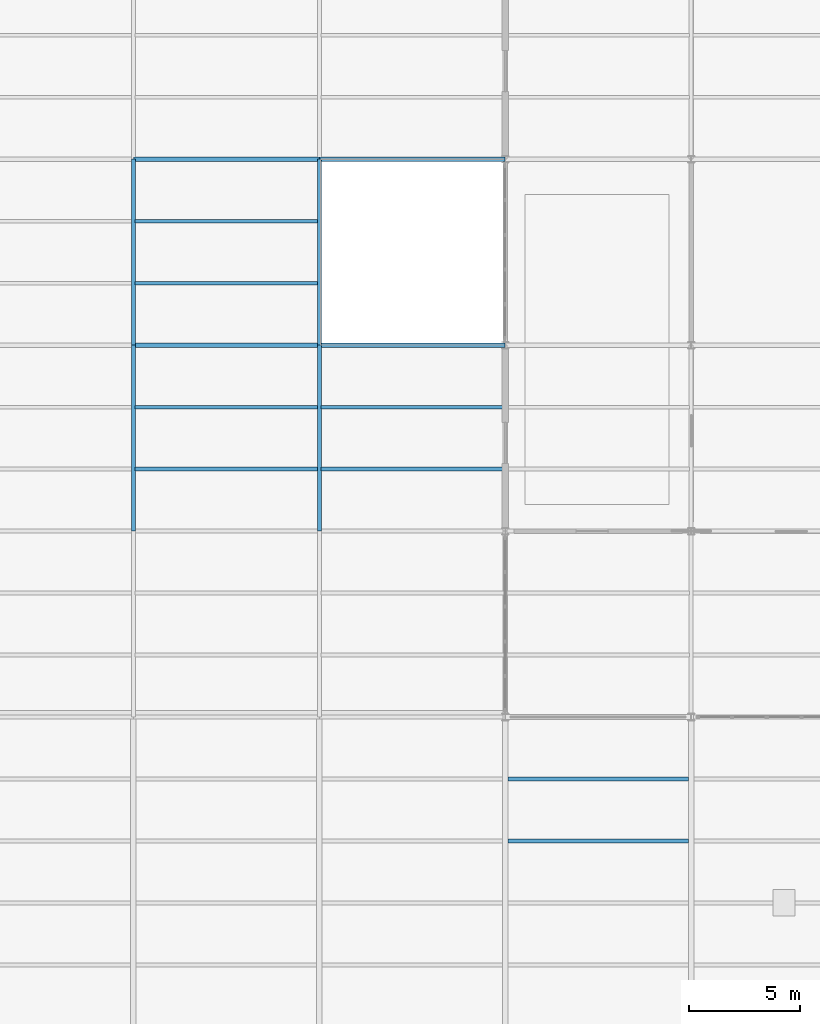
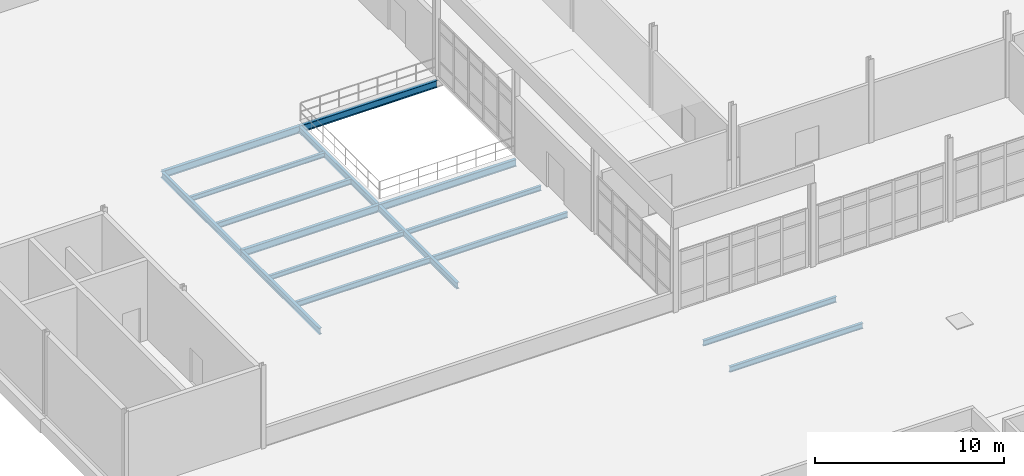
# One storey, part 7 of 33: 16 beams.
"""IFC4 building model written with IfcOpenShell, lengths in metres."""

from ifc_helpers import new_model, si_unit, direction, frame, origin, origin_2d, place, context, subcontext, project, spatial, i_section, extrude, material, material_profile, profile_set, type_object, element, save


model = new_model("IFC4")

# Units and contexts
model_context = context("Model", 3, precision=1e-05, world=origin(), true_north=direction((0.0, 1.0)))
body_context = subcontext(model_context, "Body", "Model", "MODEL_VIEW")
ifc_project = project(units=[si_unit("LENGTHUNIT", "METRE"), si_unit("AREAUNIT", "SQUARE_METRE"), si_unit("VOLUMEUNIT", "CUBIC_METRE"), si_unit("PLANEANGLEUNIT", "RADIAN"), si_unit("MASSUNIT", "GRAM", prefix="KILO"), si_unit("THERMODYNAMICTEMPERATUREUNIT", "KELVIN"), si_unit("POWERUNIT", "WATT")], contexts=[model_context])

# Site, building, storey
site_placement = place(None, origin())
site = spatial("IfcSite", under=ifc_project, at=site_placement, CompositionType="ELEMENT")
building_placement = place(site_placement, origin())
building = spatial("IfcBuilding", under=site, at=building_placement, Name="Tembeka Court Mobility Hub", CompositionType="ELEMENT")
storey_placement = place(building_placement, frame((0.0, 0.0, 23.39990234375)))
storey = spatial("IfcBuildingStorey", under=building, at=storey_placement, Name="L06", CompositionType="ELEMENT", Elevation=23.39990234375)

# Beams
ifc_material = material(Name="Steel S355", Category="steel")
ifc_material_profile_1 = material_profile(ifc_material, i_section(OverallWidth=0.18994140625, OverallDepth=0.45703125, WebThickness=0.009033203125, FlangeThickness=0.014404296875, FilletRadius=0.01025390625, at=origin_2d()), Name="UKB 457x191x74")
ifc_profile_set_1 = profile_set([ifc_material_profile_1], Name="Steel S355")
beam_type_1 = type_object("IfcBeamType", Name="BM-B01", PredefinedType="BEAM", material=ifc_profile_set_1)
beam_1_placement = place(storey_placement, frame((16.800048828125, 55.199951171875, -0.54833984375), z_axis=(1.0, 0.0, 0.0), x_axis=(0.0, 1.0, 0.0)))
element("IfcBeam", 1, at=beam_1_placement, inside=storey, type_object=beam_type_1, Name="Beam B01 (BM-L06-X3133)", PredefinedType="BEAM", context=body_context, shape_type="SweptSolid", body=[
    extrude(i_section(OverallWidth=0.18994140625, OverallDepth=0.45703125, WebThickness=0.009033203125, FlangeThickness=0.014404296875, FilletRadius=0.01025390625, at=origin_2d()), origin(), (0.0, 0.0, 1.0), 8.39990234375),
])
beam_2_placement = place(storey_placement, frame((25.199951171875, 55.199951171875, -0.54833984375), z_axis=(1.0, 0.0, 0.0), x_axis=(0.0, 1.0, 0.0)))
element("IfcBeam", 2, at=beam_2_placement, inside=storey, type_object=beam_type_1, Name="Beam B01 (BM-L06-X3134)", PredefinedType="BEAM", context=body_context, shape_type="SweptSolid", body=[
    extrude(i_section(OverallWidth=0.18994140625, OverallDepth=0.45703125, WebThickness=0.009033203125, FlangeThickness=0.014404296875, FilletRadius=0.01025390625, at=origin_2d()), origin(), (0.0, 0.0, 1.0), 8.400146484375),
])
beam_3_placement = place(storey_placement, frame((16.800048828125, 63.60009765625, -0.54833984375), z_axis=(1.0, 0.0, 0.0), x_axis=(0.0, 1.0, 0.0)))
element("IfcBeam", 3, at=beam_3_placement, inside=storey, type_object=beam_type_1, Name="Beam B01 (BM-L06-X3144)", PredefinedType="BEAM", context=body_context, shape_type="SweptSolid", body=[
    extrude(i_section(OverallWidth=0.18994140625, OverallDepth=0.45703125, WebThickness=0.009033203125, FlangeThickness=0.014404296875, FilletRadius=0.01025390625, at=origin_2d()), origin(), (0.0, 0.0, 1.0), 8.39990234375),
])
beam_4_placement = place(storey_placement, frame((25.199951171875, 63.60009765625, -0.54833984375), z_axis=(1.0, 0.0, 0.0), x_axis=(0.0, 1.0, 0.0)))
element("IfcBeam", 4, at=beam_4_placement, inside=storey, type_object=beam_type_1, Name="Beam B01 (BM-L06-X3145)", PredefinedType="BEAM", context=body_context, shape_type="SweptSolid", body=[
    extrude(i_section(OverallWidth=0.18994140625, OverallDepth=0.45703125, WebThickness=0.009033203125, FlangeThickness=0.014404296875, FilletRadius=0.01025390625, at=origin_2d()), origin(), (0.0, 0.0, 1.0), 8.400146484375),
])
ifc_material_profile_2 = material_profile(ifc_material, i_section(OverallWidth=0.177978515625, OverallDepth=0.406005859375, WebThickness=0.0078125, FlangeThickness=0.0126953125, FilletRadius=0.01025390625, at=origin_2d()), Name="UKB 406x178x60")
ifc_profile_set_2 = profile_set([ifc_material_profile_2], Name="Steel S355")
beam_type_2 = type_object("IfcBeamType", Name="BM-B02", PredefinedType="BEAM", material=ifc_profile_set_2)
beam_5_placement = place(storey_placement, frame((16.800048828125, 46.800048828125, -0.52294921875), z_axis=(0.0, 1.0, 0.0), x_axis=(-1.0, 0.0, 0.0)))
element("IfcBeam", 5, at=beam_5_placement, inside=storey, type_object=beam_type_2, Name="Beam B02 (BM-L06-Y3220)", PredefinedType="BEAM", context=body_context, shape_type="SweptSolid", body=[
    extrude(i_section(OverallWidth=0.177978515625, OverallDepth=0.406005859375, WebThickness=0.0078125, FlangeThickness=0.0126953125, FilletRadius=0.01025390625, at=origin_2d()), origin(), (0.0, 0.0, 1.0), 8.39990234375),
])
beam_6_placement = place(storey_placement, frame((16.800048828125, 55.199951171875, -0.52294921875), z_axis=(0.0, 1.0, 0.0), x_axis=(-1.0, 0.0, 0.0)))
element("IfcBeam", 6, at=beam_6_placement, inside=storey, type_object=beam_type_2, Name="Beam B02 (BM-L06-Y3221)", PredefinedType="BEAM", context=body_context, shape_type="SweptSolid", body=[
    extrude(i_section(OverallWidth=0.177978515625, OverallDepth=0.406005859375, WebThickness=0.0078125, FlangeThickness=0.0126953125, FilletRadius=0.01025390625, at=origin_2d()), origin(), (0.0, 0.0, 1.0), 8.400146484375),
])
beam_7_placement = place(storey_placement, frame((25.199951171875, 46.800048828125, -0.52294921875), z_axis=(0.0, 1.0, 0.0), x_axis=(-1.0, 0.0, 0.0)))
element("IfcBeam", 7, at=beam_7_placement, inside=storey, type_object=beam_type_2, Name="Beam B02 (BM-L06-Y3227)", PredefinedType="BEAM", context=body_context, shape_type="SweptSolid", body=[
    extrude(i_section(OverallWidth=0.177978515625, OverallDepth=0.406005859375, WebThickness=0.0078125, FlangeThickness=0.0126953125, FilletRadius=0.01025390625, at=origin_2d()), origin(), (0.0, 0.0, 1.0), 8.39990234375),
])
beam_8_placement = place(storey_placement, frame((25.199951171875, 55.199951171875, -0.52294921875), z_axis=(0.0, 1.0, 0.0), x_axis=(-1.0, 0.0, 0.0)))
element("IfcBeam", 8, at=beam_8_placement, inside=storey, type_object=beam_type_2, Name="Beam B02 (BM-L06-Y3228)", PredefinedType="BEAM", context=body_context, shape_type="SweptSolid", body=[
    extrude(i_section(OverallWidth=0.177978515625, OverallDepth=0.406005859375, WebThickness=0.0078125, FlangeThickness=0.0126953125, FilletRadius=0.01025390625, at=origin_2d()), origin(), (0.0, 0.0, 1.0), 8.400146484375),
])
ifc_material_profile_3 = material_profile(ifc_material, i_section(OverallWidth=0.172119140625, OverallDepth=0.35498046875, WebThickness=0.00732421875, FlangeThickness=0.011474609375, FilletRadius=0.01025390625, at=origin_2d()), Name="UKB 356x171x51")
ifc_profile_set_3 = profile_set([ifc_material_profile_3], Name="Steel S355")
beam_type_3 = type_object("IfcBeamType", Name="BM-J01", PredefinedType="JOIST", material=ifc_profile_set_3)
for number, where, z_axis, x_axis, name in (
    (9, (33.721923828125, 32.800048828125, -0.407470703125), (1.0, 0.0, 0.0), (0.0, 1.0, 0.0), "Beam J01 (JST-L06-3370)"),
    (10, (33.721923828125, 35.60009765625, -0.407470703125), (1.0, 0.0, 0.0), (0.0, 1.0, 0.0), "Beam J01 (JST-L06-3371)"),
):
    element("IfcBeam", number, at=place(storey_placement, frame(where, z_axis=z_axis, x_axis=x_axis)), inside=storey, type_object=beam_type_3, Name=name, PredefinedType="JOIST", context=body_context, shape_type="SweptSolid", body=[
        extrude(i_section(OverallWidth=0.172119140625, OverallDepth=0.35498046875, WebThickness=0.00732421875, FlangeThickness=0.011474609375, FilletRadius=0.01025390625, at=origin_2d()), origin(), (0.0, 0.0, 1.0), 8.156005859375),
    ])
ifc_material_profile_4 = material_profile(ifc_material, i_section(OverallWidth=0.1650390625, OverallDepth=0.303955078125, WebThickness=0.006103515625, FlangeThickness=0.01025390625, FilletRadius=0.0087890625, at=origin_2d()), Name="UKB 305x165x40")
ifc_profile_set_4 = profile_set([ifc_material_profile_4], Name="Steel S355")
beam_type_4 = type_object("IfcBeamType", Name="BM-J02", PredefinedType="JOIST", material=ifc_profile_set_4)
for number, where, z_axis, x_axis, name in (
    (11, (16.884033203125, 52.39990234375, -0.471923828125), (1.0, 0.0, 0.0), (0.0, 1.0, 0.0), "Beam J02 (JST-L06-3337)"),
    (12, (16.884033203125, 60.800048828125, -0.471923828125), (1.0, 0.0, 0.0), (0.0, 1.0, 0.0), "Beam J02 (JST-L06-3339)"),
):
    element("IfcBeam", number, at=place(storey_placement, frame(where, z_axis=z_axis, x_axis=x_axis)), inside=storey, type_object=beam_type_4, Name=name, PredefinedType="JOIST", context=body_context, shape_type="SweptSolid", body=[
        extrude(i_section(OverallWidth=0.1650390625, OverallDepth=0.303955078125, WebThickness=0.006103515625, FlangeThickness=0.01025390625, FilletRadius=0.0087890625, at=origin_2d()), origin(), (0.0, 0.0, 1.0), 8.23193359375),
    ])
beam_9_placement = place(storey_placement, frame((25.283935546875, 52.39990234375, -0.471923828125), z_axis=(1.0, 0.0, 0.0), x_axis=(0.0, 1.0, 0.0)))
element("IfcBeam", 13, at=beam_9_placement, inside=storey, type_object=beam_type_4, Name="Beam J02 (JST-L06-3357)", PredefinedType="JOIST", context=body_context, shape_type="SweptSolid", body=[
    extrude(i_section(OverallWidth=0.1650390625, OverallDepth=0.303955078125, WebThickness=0.006103515625, FlangeThickness=0.01025390625, FilletRadius=0.0087890625, at=origin_2d()), origin(), (0.0, 0.0, 1.0), 8.232177734375),
])
ifc_material_profile_5 = material_profile(ifc_material, i_section(OverallWidth=0.169921875, OverallDepth=0.360107421875, WebThickness=0.008056640625, FlangeThickness=0.0126953125, FilletRadius=0.01806640625, at=origin_2d()), Name="IPE 360")
ifc_profile_set_5 = profile_set([ifc_material_profile_5], Name="Steel S355")
beam_type_5 = type_object("IfcBeamType", Name="BM-J03", PredefinedType="JOIST", material=ifc_profile_set_5)
for number, where, z_axis, x_axis, name in (
    (14, (16.884033203125, 49.60009765625, -0.5), (1.0, 0.0, 0.0), (0.0, 1.0, 0.0), "Beam J03 (JST-L06-3336)"),
    (15, (16.884033203125, 58.0, -0.5), (1.0, 0.0, 0.0), (0.0, 1.0, 0.0), "Beam J03 (JST-L06-3338)"),
):
    element("IfcBeam", number, at=place(storey_placement, frame(where, z_axis=z_axis, x_axis=x_axis)), inside=storey, type_object=beam_type_5, Name=name, PredefinedType="JOIST", context=body_context, shape_type="SweptSolid", body=[
        extrude(i_section(OverallWidth=0.169921875, OverallDepth=0.360107421875, WebThickness=0.008056640625, FlangeThickness=0.0126953125, FilletRadius=0.01806640625, at=origin_2d()), origin(), (0.0, 0.0, 1.0), 8.23193359375),
    ])
beam_10_placement = place(storey_placement, frame((25.283935546875, 49.60009765625, -0.5), z_axis=(1.0, 0.0, 0.0), x_axis=(0.0, 1.0, 0.0)))
element("IfcBeam", 16, at=beam_10_placement, inside=storey, type_object=beam_type_5, Name="Beam J03 (JST-L06-3356)", PredefinedType="JOIST", context=body_context, shape_type="SweptSolid", body=[
    extrude(i_section(OverallWidth=0.169921875, OverallDepth=0.360107421875, WebThickness=0.008056640625, FlangeThickness=0.0126953125, FilletRadius=0.01806640625, at=origin_2d()), origin(), (0.0, 0.0, 1.0), 8.232177734375),
])

save(model, "model.ifc")
